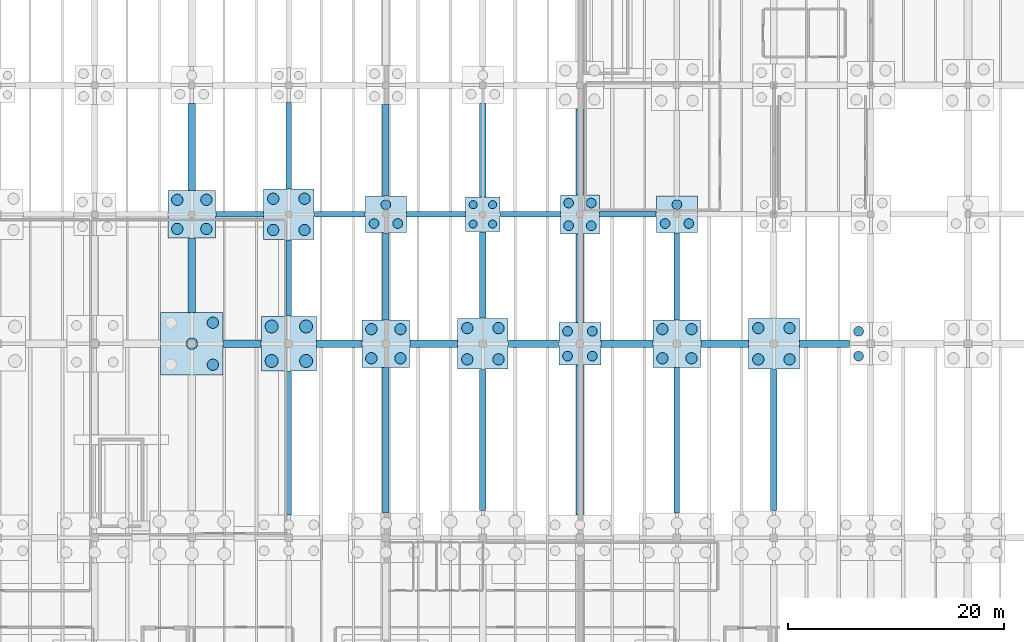
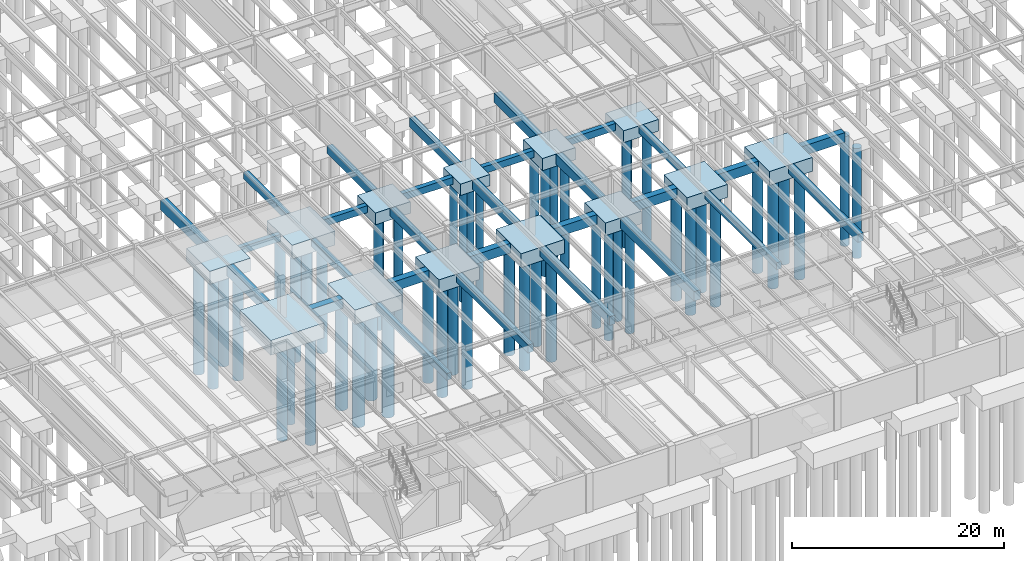
# One storey, part 5 of 40: 51 piles, 42 footings.
"""IFC4 building model written with IfcOpenShell, lengths in metres."""

from ifc_helpers import new_model, si_unit, direction, frame, origin, origin_2d, place, context, subcontext, project, spatial, polyline, rectangle, circle, outline, extrude, material, material_profile, profile_set, type_object, element, save


model = new_model("IFC4")

# Units and contexts
model_context = context("Model", 3, precision=1e-05, world=origin(), true_north=direction((0.0, 1.0)))
body_context = subcontext(model_context, "Body", "Model", "MODEL_VIEW")
ifc_project = project(units=[si_unit("LENGTHUNIT", "METRE"), si_unit("AREAUNIT", "SQUARE_METRE"), si_unit("VOLUMEUNIT", "CUBIC_METRE"), si_unit("PLANEANGLEUNIT", "RADIAN"), si_unit("MASSUNIT", "GRAM", prefix="KILO")], contexts=[model_context])

# Site, building, storey
site_placement = place(None, origin())
site = spatial("IfcSite", under=ifc_project, at=site_placement, CompositionType="ELEMENT")
building_placement = place(site_placement, origin())
building = spatial("IfcBuilding", under=site, at=building_placement, Name="Montelvaro Courts of Justice", CompositionType="ELEMENT")
storey_placement = place(building_placement, frame((0.0, 0.0, -4.5)))
storey = spatial("IfcBuildingStorey", under=building, at=storey_placement, Name="B01", CompositionType="ELEMENT", Elevation=-4.5)

# Piles
ifc_material = material(Name="Concrete C35/45", Category="concrete")
ifc_material_profile_1 = material_profile(ifc_material, circle(Radius=0.52490234375, at=origin_2d()), Name="BORED PILE D1050")
ifc_profile_set_1 = profile_set([ifc_material_profile_1], Name="Concrete C35/45")
pile_type_1 = type_object("IfcPileType", Name="BoredPile_1050", PredefinedType="BORED", material=ifc_profile_set_1)
for number, where, z_axis, x_axis, name in (
    (1, (64.949951171875, 40.050048828125, -1.60009765625), (0.0, 0.0, -1.0), (1.0, 0.0, 0.0), "Bored Pile BP-03 8/D-2"),
    (2, (63.0, 42.0, -1.60009765625), (0.0, 0.0, -1.0), (1.0, 0.0, 0.0), "Bored Pile BP-03 8/D-3"),
    (3, (64.949951171875, 43.949951171875, -1.60009765625), (0.0, 0.0, -1.0), (1.0, 0.0, 0.0), "Bored Pile BP-03 8/D-5"),
):
    element("IfcPile", number, at=place(storey_placement, frame(where, z_axis=z_axis, x_axis=x_axis)), inside=storey, type_object=pile_type_1, Name=name, PredefinedType="BORED", context=body_context, shape_type="SweptSolid", body=[
        extrude(circle(Radius=0.52490234375, at=origin_2d()), origin(), (0.0, 0.0, 1.0), 12.39990234375),
    ])
for number, where, z_axis, x_axis, name in (
    (4, (61.64990234375, 52.64990234375, -1.39990234375), (0.0, 0.0, -1.0), (1.0, 0.0, 0.0), "Bored Pile BP-03 8/E-1"),
    (5, (64.35009765625, 52.64990234375, -1.39990234375), (0.0, 0.0, -1.0), (1.0, 0.0, 0.0), "Bored Pile BP-03 8/E-2"),
    (6, (61.64990234375, 55.35009765625, -1.39990234375), (0.0, 0.0, -1.0), (1.0, 0.0, 0.0), "Bored Pile BP-03 8/E-3"),
    (7, (64.35009765625, 55.35009765625, -1.39990234375), (0.0, 0.0, -1.0), (1.0, 0.0, 0.0), "Bored Pile BP-03 8/E-4"),
):
    element("IfcPile", number, at=place(storey_placement, frame(where, z_axis=z_axis, x_axis=x_axis)), inside=storey, type_object=pile_type_1, Name=name, PredefinedType="BORED", context=body_context, shape_type="SweptSolid", body=[
        extrude(circle(Radius=0.52490234375, at=origin_2d()), origin(), (0.0, 0.0, 1.0), 12.60009765625),
    ])
for number, where, z_axis, x_axis, name in (
    (8, (70.550048828125, 52.550048828125, -1.5), (0.0, 0.0, -1.0), (1.0, 0.0, 0.0), "Bored Pile BP-03 9/E-1"),
    (9, (73.449951171875, 52.550048828125, -1.5), (0.0, 0.0, -1.0), (1.0, 0.0, 0.0), "Bored Pile BP-03 9/E-2"),
    (10, (70.550048828125, 55.449951171875, -1.5), (0.0, 0.0, -1.0), (1.0, 0.0, 0.0), "Bored Pile BP-03 9/E-3"),
    (11, (73.449951171875, 55.449951171875, -1.5), (0.0, 0.0, -1.0), (1.0, 0.0, 0.0), "Bored Pile BP-03 9/E-4"),
):
    element("IfcPile", number, at=place(storey_placement, frame(where, z_axis=z_axis, x_axis=x_axis)), inside=storey, type_object=pile_type_1, Name=name, PredefinedType="BORED", context=body_context, shape_type="SweptSolid", body=[
        extrude(circle(Radius=0.52490234375, at=origin_2d()), origin(), (0.0, 0.0, 1.0), 12.5),
    ])
for number, where, z_axis, x_axis, name in (
    (12, (79.64990234375, 40.64990234375, -1.39990234375), (0.0, 0.0, -1.0), (1.0, 0.0, 0.0), "Bored Pile BP-03 10/D-1"),
    (13, (82.35009765625, 40.64990234375, -1.39990234375), (0.0, 0.0, -1.0), (1.0, 0.0, 0.0), "Bored Pile BP-03 10/D-2"),
    (14, (79.64990234375, 43.35009765625, -1.39990234375), (0.0, 0.0, -1.0), (1.0, 0.0, 0.0), "Bored Pile BP-03 10/D-3"),
    (15, (82.35009765625, 43.35009765625, -1.39990234375), (0.0, 0.0, -1.0), (1.0, 0.0, 0.0), "Bored Pile BP-03 10/D-4"),
):
    element("IfcPile", number, at=place(storey_placement, frame(where, z_axis=z_axis, x_axis=x_axis)), inside=storey, type_object=pile_type_1, Name=name, PredefinedType="BORED", context=body_context, shape_type="SweptSolid", body=[
        extrude(circle(Radius=0.52490234375, at=origin_2d()), origin(), (0.0, 0.0, 1.0), 12.60009765625),
    ])
for number, where, z_axis, x_axis, name in (
    (16, (88.550048828125, 40.550048828125, -1.5), (0.0, 0.0, -1.0), (1.0, 0.0, 0.0), "Bored Pile BP-03 11/D-1"),
    (17, (91.449951171875, 40.550048828125, -1.5), (0.0, 0.0, -1.0), (1.0, 0.0, 0.0), "Bored Pile BP-03 11/D-2"),
    (18, (88.550048828125, 43.449951171875, -1.5), (0.0, 0.0, -1.0), (1.0, 0.0, 0.0), "Bored Pile BP-03 11/D-3"),
    (19, (91.449951171875, 43.449951171875, -1.5), (0.0, 0.0, -1.0), (1.0, 0.0, 0.0), "Bored Pile BP-03 11/D-4"),
):
    element("IfcPile", number, at=place(storey_placement, frame(where, z_axis=z_axis, x_axis=x_axis)), inside=storey, type_object=pile_type_1, Name=name, PredefinedType="BORED", context=body_context, shape_type="SweptSolid", body=[
        extrude(circle(Radius=0.52490234375, at=origin_2d()), origin(), (0.0, 0.0, 1.0), 12.5),
    ])
for number, where, z_axis, x_axis, name in (
    (20, (106.64990234375, 40.64990234375, -1.39990234375), (0.0, 0.0, -1.0), (1.0, 0.0, 0.0), "Bored Pile BP-03 13/D-1"),
    (21, (109.35009765625, 40.64990234375, -1.39990234375), (0.0, 0.0, -1.0), (1.0, 0.0, 0.0), "Bored Pile BP-03 13/D-2"),
    (22, (106.64990234375, 43.35009765625, -1.39990234375), (0.0, 0.0, -1.0), (1.0, 0.0, 0.0), "Bored Pile BP-03 13/D-3"),
    (23, (109.35009765625, 43.35009765625, -1.39990234375), (0.0, 0.0, -1.0), (1.0, 0.0, 0.0), "Bored Pile BP-03 13/D-4"),
):
    element("IfcPile", number, at=place(storey_placement, frame(where, z_axis=z_axis, x_axis=x_axis)), inside=storey, type_object=pile_type_1, Name=name, PredefinedType="BORED", context=body_context, shape_type="SweptSolid", body=[
        extrude(circle(Radius=0.52490234375, at=origin_2d()), origin(), (0.0, 0.0, 1.0), 12.60009765625),
    ])
for number, where, z_axis, x_axis, name in (
    (24, (115.550048828125, 40.550048828125, -1.5), (0.0, 0.0, -1.0), (1.0, 0.0, 0.0), "Bored Pile BP-03 14/D-1"),
    (25, (118.449951171875, 40.550048828125, -1.5), (0.0, 0.0, -1.0), (1.0, 0.0, 0.0), "Bored Pile BP-03 14/D-2"),
    (26, (115.550048828125, 43.449951171875, -1.5), (0.0, 0.0, -1.0), (1.0, 0.0, 0.0), "Bored Pile BP-03 14/D-3"),
    (27, (118.449951171875, 43.449951171875, -1.5), (0.0, 0.0, -1.0), (1.0, 0.0, 0.0), "Bored Pile BP-03 14/D-4"),
):
    element("IfcPile", number, at=place(storey_placement, frame(where, z_axis=z_axis, x_axis=x_axis)), inside=storey, type_object=pile_type_1, Name=name, PredefinedType="BORED", context=body_context, shape_type="SweptSolid", body=[
        extrude(circle(Radius=0.52490234375, at=origin_2d()), origin(), (0.0, 0.0, 1.0), 12.5),
    ])
ifc_material_profile_2 = material_profile(ifc_material, circle(Radius=0.60009765625, at=origin_2d()), Name="BORED PILE D1200")
ifc_profile_set_2 = profile_set([ifc_material_profile_2], Name="Concrete C35/45")
pile_type_2 = type_object("IfcPileType", Name="BoredPile_1200", PredefinedType="BORED", material=ifc_profile_set_2)
for number, where, z_axis, x_axis, name in (
    (28, (70.39990234375, 40.39990234375, -1.550048828125), (0.0, 0.0, -1.0), (1.0, 0.0, 0.0), "Bored Pile BP-04 9/D-1"),
    (29, (73.60009765625, 40.39990234375, -1.550048828125), (0.0, 0.0, -1.0), (1.0, 0.0, 0.0), "Bored Pile BP-04 9/D-2"),
    (30, (70.39990234375, 43.60009765625, -1.550048828125), (0.0, 0.0, -1.0), (1.0, 0.0, 0.0), "Bored Pile BP-04 9/D-3"),
    (31, (73.60009765625, 43.60009765625, -1.550048828125), (0.0, 0.0, -1.0), (1.0, 0.0, 0.0), "Bored Pile BP-04 9/D-4"),
):
    element("IfcPile", number, at=place(storey_placement, frame(where, z_axis=z_axis, x_axis=x_axis)), inside=storey, type_object=pile_type_2, Name=name, PredefinedType="BORED", context=body_context, shape_type="SweptSolid", body=[
        extrude(circle(Radius=0.60009765625, at=origin_2d()), origin(), (0.0, 0.0, 1.0), 12.449951171875),
    ])
ifc_material_profile_3 = material_profile(ifc_material, circle(Radius=0.375, at=origin_2d()), Name="BORED PILE D750")
ifc_profile_set_3 = profile_set([ifc_material_profile_3], Name="Concrete C35/45")
pile_type_3 = type_object("IfcPileType", Name="BoredPile_750", PredefinedType="BORED", material=ifc_profile_set_3)
for number, where, z_axis, x_axis, name in (
    (32, (89.10009765625, 53.10009765625, -1.199951171875), (0.0, 0.0, -1.0), (1.0, 0.0, 0.0), "Bored Pile BP-01 11/E-1"),
    (33, (90.89990234375, 53.10009765625, -1.199951171875), (0.0, 0.0, -1.0), (1.0, 0.0, 0.0), "Bored Pile BP-01 11/E-2"),
    (34, (89.10009765625, 54.89990234375, -1.199951171875), (0.0, 0.0, -1.0), (1.0, 0.0, 0.0), "Bored Pile BP-01 11/E-3"),
    (35, (90.89990234375, 54.89990234375, -1.199951171875), (0.0, 0.0, -1.0), (1.0, 0.0, 0.0), "Bored Pile BP-01 11/E-4"),
):
    element("IfcPile", number, at=place(storey_placement, frame(where, z_axis=z_axis, x_axis=x_axis)), inside=storey, type_object=pile_type_3, Name=name, PredefinedType="BORED", context=body_context, shape_type="SweptSolid", body=[
        extrude(circle(Radius=0.375, at=origin_2d()), origin(), (0.0, 0.0, 1.0), 12.800048828125),
    ])
ifc_material_profile_4 = material_profile(ifc_material, circle(Radius=0.449951171875, at=origin_2d()), Name="BORED PILE D900")
ifc_profile_set_4 = profile_set([ifc_material_profile_4], Name="Concrete C35/45")
pile_type_4 = type_object("IfcPileType", Name="BoredPile_900", PredefinedType="BORED", material=ifc_profile_set_4)
for number, where, z_axis, x_axis, name in (
    (36, (79.89990234375, 53.14990234375, -1.25), (0.0, 0.0, -1.0), (1.0, 0.0, 0.0), "Bored Pile BP-02 10/E-1"),
    (37, (82.10009765625, 53.14990234375, -1.25), (0.0, 0.0, -1.0), (1.0, 0.0, 0.0), "Bored Pile BP-02 10/E-2"),
    (38, (81.0, 54.89990234375, -1.25), (0.0, 0.0, -1.0), (1.0, 0.0, 0.0), "Bored Pile BP-02 10/E-3"),
):
    element("IfcPile", number, at=place(storey_placement, frame(where, z_axis=z_axis, x_axis=x_axis)), inside=storey, type_object=pile_type_4, Name=name, PredefinedType="BORED", context=body_context, shape_type="SweptSolid", body=[
        extrude(circle(Radius=0.449951171875, at=origin_2d()), origin(), (0.0, 0.0, 1.0), 12.75),
    ])
for number, where, z_axis, x_axis, name in (
    (39, (97.85009765625, 40.85009765625, -1.35009765625), (0.0, 0.0, -1.0), (1.0, 0.0, 0.0), "Bored Pile BP-02 12/D-1"),
    (40, (100.14990234375, 40.85009765625, -1.35009765625), (0.0, 0.0, -1.0), (1.0, 0.0, 0.0), "Bored Pile BP-02 12/D-2"),
    (41, (97.85009765625, 43.14990234375, -1.35009765625), (0.0, 0.0, -1.0), (1.0, 0.0, 0.0), "Bored Pile BP-02 12/D-3"),
    (42, (100.14990234375, 43.14990234375, -1.35009765625), (0.0, 0.0, -1.0), (1.0, 0.0, 0.0), "Bored Pile BP-02 12/D-4"),
):
    element("IfcPile", number, at=place(storey_placement, frame(where, z_axis=z_axis, x_axis=x_axis)), inside=storey, type_object=pile_type_4, Name=name, PredefinedType="BORED", context=body_context, shape_type="SweptSolid", body=[
        extrude(circle(Radius=0.449951171875, at=origin_2d()), origin(), (0.0, 0.0, 1.0), 12.64990234375),
    ])
for number, where, z_axis, x_axis, name in (
    (43, (97.949951171875, 52.949951171875, -1.300048828125), (0.0, 0.0, -1.0), (1.0, 0.0, 0.0), "Bored Pile BP-02 12/E-1"),
    (44, (100.050048828125, 52.949951171875, -1.300048828125), (0.0, 0.0, -1.0), (1.0, 0.0, 0.0), "Bored Pile BP-02 12/E-2"),
    (45, (97.949951171875, 55.050048828125, -1.300048828125), (0.0, 0.0, -1.0), (1.0, 0.0, 0.0), "Bored Pile BP-02 12/E-3"),
    (46, (100.050048828125, 55.050048828125, -1.300048828125), (0.0, 0.0, -1.0), (1.0, 0.0, 0.0), "Bored Pile BP-02 12/E-4"),
):
    element("IfcPile", number, at=place(storey_placement, frame(where, z_axis=z_axis, x_axis=x_axis)), inside=storey, type_object=pile_type_4, Name=name, PredefinedType="BORED", context=body_context, shape_type="SweptSolid", body=[
        extrude(circle(Radius=0.449951171875, at=origin_2d()), origin(), (0.0, 0.0, 1.0), 12.699951171875),
    ])
for number, where, z_axis, x_axis, name in (
    (47, (106.89990234375, 53.14990234375, -1.25), (0.0, 0.0, -1.0), (1.0, 0.0, 0.0), "Bored Pile BP-02 13/E-1"),
    (48, (109.10009765625, 53.14990234375, -1.25), (0.0, 0.0, -1.0), (1.0, 0.0, 0.0), "Bored Pile BP-02 13/E-2"),
    (49, (108.0, 54.89990234375, -1.25), (0.0, 0.0, -1.0), (1.0, 0.0, 0.0), "Bored Pile BP-02 13/E-3"),
):
    element("IfcPile", number, at=place(storey_placement, frame(where, z_axis=z_axis, x_axis=x_axis)), inside=storey, type_object=pile_type_4, Name=name, PredefinedType="BORED", context=body_context, shape_type="SweptSolid", body=[
        extrude(circle(Radius=0.449951171875, at=origin_2d()), origin(), (0.0, 0.0, 1.0), 12.75),
    ])
for number, where, z_axis, x_axis, name in (
    (50, (124.85009765625, 40.85009765625, -1.35009765625), (0.0, 0.0, -1.0), (1.0, 0.0, 0.0), "Bored Pile BP-02 15/D-1"),
    (51, (124.85009765625, 43.14990234375, -1.35009765625), (0.0, 0.0, -1.0), (1.0, 0.0, 0.0), "Bored Pile BP-02 15/D-3"),
):
    element("IfcPile", number, at=place(storey_placement, frame(where, z_axis=z_axis, x_axis=x_axis)), inside=storey, type_object=pile_type_4, Name=name, PredefinedType="BORED", context=body_context, shape_type="SweptSolid", body=[
        extrude(circle(Radius=0.449951171875, at=origin_2d()), origin(), (0.0, 0.0, 1.0), 12.64990234375),
    ])

# Footings
footing_type_1 = type_object("IfcFootingType", Name="GroundBeam_500x800", PredefinedType="FOOTING_BEAM", material=ifc_material)
footing_1_placement = place(storey_placement, frame((0.0, 0.0, -0.800048828125)))
element("IfcFooting", 52, at=footing_1_placement, inside=storey, type_object=footing_type_1, Name="Foundation Ground Beam GB-01", PredefinedType="FOOTING_BEAM", context=body_context, shape_type="SweptSolid", body=[
    extrude(outline(polyline([(65.219970703125, 53.75), (69.6298828125, 53.75), (69.6298828125, 54.25), (65.219970703125, 54.25), (65.219970703125, 53.75)])), origin(), (0.0, 0.0, 1.0), 0.800048828125),
])
footing_2_placement = place(storey_placement, frame((0.0, 0.0, -0.800048828125)))
element("IfcFooting", 53, at=footing_2_placement, inside=storey, type_object=footing_type_1, Name="Foundation Ground Beam GB-01", PredefinedType="FOOTING_BEAM", context=body_context, shape_type="SweptSolid", body=[
    extrude(outline(polyline([(74.3701171875, 53.75), (79.080078125, 53.75), (79.080078125, 54.25), (74.3701171875, 54.25), (74.3701171875, 53.75)])), origin(), (0.0, 0.0, 1.0), 0.800048828125),
])
footing_3_placement = place(storey_placement, frame((0.0, 0.0, -0.800048828125)))
element("IfcFooting", 54, at=footing_3_placement, inside=storey, type_object=footing_type_1, Name="Foundation Ground Beam GB-01", PredefinedType="FOOTING_BEAM", context=body_context, shape_type="SweptSolid", body=[
    extrude(outline(polyline([(82.919921875, 53.75), (88.3798828125, 53.75), (88.3798828125, 54.25), (82.919921875, 54.25), (82.919921875, 53.75)])), origin(), (0.0, 0.0, 1.0), 0.800048828125),
])
footing_4_placement = place(storey_placement, frame((0.0, 0.0, -0.800048828125)))
element("IfcFooting", 55, at=footing_4_placement, inside=storey, type_object=footing_type_1, Name="Foundation Ground Beam GB-01", PredefinedType="FOOTING_BEAM", context=body_context, shape_type="SweptSolid", body=[
    extrude(outline(polyline([(91.6201171875, 53.75), (97.179931640625, 53.75), (97.179931640625, 54.25), (91.6201171875, 54.25), (91.6201171875, 53.75)])), origin(), (0.0, 0.0, 1.0), 0.800048828125),
])
footing_5_placement = place(storey_placement, frame((0.0, 0.0, -0.800048828125)))
element("IfcFooting", 56, at=footing_5_placement, inside=storey, type_object=footing_type_1, Name="Foundation Ground Beam GB-01", PredefinedType="FOOTING_BEAM", context=body_context, shape_type="SweptSolid", body=[
    extrude(outline(polyline([(100.820068359375, 53.75), (106.080078125, 53.75), (106.080078125, 54.25), (100.820068359375, 54.25), (100.820068359375, 53.75)])), origin(), (0.0, 0.0, 1.0), 0.800048828125),
])
footing_6_placement = place(storey_placement, frame((0.0, 0.0, -0.800048828125)))
element("IfcFooting", 57, at=footing_6_placement, inside=storey, type_object=footing_type_1, Name="Foundation Ground Beam GB-01", PredefinedType="FOOTING_BEAM", context=body_context, shape_type="SweptSolid", body=[
    extrude(outline(polyline([(71.75, 26.1201171875), (72.25, 26.1201171875), (72.25, 39.429931640625), (71.75, 39.429931640625), (71.75, 26.1201171875)])), origin(), (0.0, 0.0, 1.0), 0.800048828125),
])
footing_7_placement = place(storey_placement, frame((0.0, 0.0, -0.800048828125)))
element("IfcFooting", 58, at=footing_7_placement, inside=storey, type_object=footing_type_1, Name="Foundation Ground Beam GB-01", PredefinedType="FOOTING_BEAM", context=body_context, shape_type="SweptSolid", body=[
    extrude(outline(polyline([(71.75, 44.570068359375), (72.25, 44.570068359375), (72.25, 51.6298828125), (71.75, 51.6298828125), (71.75, 44.570068359375)])), origin(), (0.0, 0.0, 1.0), 0.800048828125),
])
footing_8_placement = place(storey_placement, frame((0.0, 0.0, -0.800048828125)))
element("IfcFooting", 59, at=footing_8_placement, inside=storey, type_object=footing_type_1, Name="Foundation Ground Beam GB-01", PredefinedType="FOOTING_BEAM", context=body_context, shape_type="SweptSolid", body=[
    extrude(outline(polyline([(71.75, 56.3701171875), (72.25, 56.3701171875), (72.25, 64.3798828125), (71.75, 64.3798828125), (71.75, 56.3701171875)])), origin(), (0.0, 0.0, 1.0), 0.800048828125),
])
footing_9_placement = place(storey_placement, frame((0.0, 0.0, -0.800048828125)))
element("IfcFooting", 60, at=footing_9_placement, inside=storey, type_object=footing_type_1, Name="Foundation Ground Beam GB-01", PredefinedType="FOOTING_BEAM", context=body_context, shape_type="SweptSolid", body=[
    extrude(outline(polyline([(107.75, 26.320068359375), (108.25, 26.320068359375), (108.25, 39.780029296875), (107.75, 39.780029296875), (107.75, 26.320068359375)])), origin(), (0.0, 0.0, 1.0), 0.800048828125),
])
footing_10_placement = place(storey_placement, frame((0.0, 0.0, -0.800048828125)))
element("IfcFooting", 61, at=footing_10_placement, inside=storey, type_object=footing_type_1, Name="Foundation Ground Beam GB-01", PredefinedType="FOOTING_BEAM", context=body_context, shape_type="SweptSolid", body=[
    extrude(outline(polyline([(107.75, 44.219970703125), (108.25, 44.219970703125), (108.25, 52.280029296875), (107.75, 52.280029296875), (107.75, 44.219970703125)])), origin(), (0.0, 0.0, 1.0), 0.800048828125),
])
footing_type_2 = type_object("IfcFootingType", Name="GroundBeam_600x1000", PredefinedType="FOOTING_BEAM", material=ifc_material)
footing_11_placement = place(storey_placement, frame((0.0, 0.0, -1.0)))
element("IfcFooting", 62, at=footing_11_placement, inside=storey, type_object=footing_type_2, Name="Foundation Ground Beam GB-03", PredefinedType="FOOTING_BEAM", context=body_context, shape_type="SweptSolid", body=[
    extrude(outline(polyline([(89.699951171875, 26.52001953125), (90.300048828125, 26.52001953125), (90.300048828125, 39.6298828125), (89.699951171875, 39.6298828125), (89.699951171875, 26.52001953125)])), origin(), (0.0, 0.0, 1.0), 1.0),
])
footing_12_placement = place(storey_placement, frame((0.0, 0.0, -1.0)))
element("IfcFooting", 63, at=footing_12_placement, inside=storey, type_object=footing_type_2, Name="Foundation Ground Beam GB-03", PredefinedType="FOOTING_BEAM", context=body_context, shape_type="SweptSolid", body=[
    extrude(outline(polyline([(89.699951171875, 44.3701171875), (90.300048828125, 44.3701171875), (90.300048828125, 52.3798828125), (89.699951171875, 52.3798828125), (89.699951171875, 44.3701171875)])), origin(), (0.0, 0.0, 1.0), 1.0),
])
footing_13_placement = place(storey_placement, frame((0.0, 0.0, -1.0)))
element("IfcFooting", 64, at=footing_13_placement, inside=storey, type_object=footing_type_2, Name="Foundation Ground Beam GB-03", PredefinedType="FOOTING_BEAM", context=body_context, shape_type="SweptSolid", body=[
    extrude(outline(polyline([(89.699951171875, 55.6201171875), (90.300048828125, 55.6201171875), (90.300048828125, 64.280029296875), (89.699951171875, 64.280029296875), (89.699951171875, 55.6201171875)])), origin(), (0.0, 0.0, 1.0), 1.0),
])
footing_type_3 = type_object("IfcFootingType", Name="GroundBeam_600x900", PredefinedType="FOOTING_BEAM", material=ifc_material)
footing_14_placement = place(storey_placement, frame((0.0, 0.0, -0.89990234375)))
element("IfcFooting", 65, at=footing_14_placement, inside=storey, type_object=footing_type_3, Name="Foundation Ground Beam GB-02", PredefinedType="FOOTING_BEAM", context=body_context, shape_type="SweptSolid", body=[
    extrude(outline(polyline([(80.699951171875, 26.320068359375), (81.300048828125, 26.320068359375), (81.300048828125, 39.780029296875), (80.699951171875, 39.780029296875), (80.699951171875, 26.320068359375)])), origin(), (0.0, 0.0, 1.0), 0.89990234375),
])
footing_15_placement = place(storey_placement, frame((0.0, 0.0, -0.89990234375)))
element("IfcFooting", 66, at=footing_15_placement, inside=storey, type_object=footing_type_3, Name="Foundation Ground Beam GB-02", PredefinedType="FOOTING_BEAM", context=body_context, shape_type="SweptSolid", body=[
    extrude(outline(polyline([(80.699951171875, 44.219970703125), (81.300048828125, 44.219970703125), (81.300048828125, 52.280029296875), (80.699951171875, 52.280029296875), (80.699951171875, 44.219970703125)])), origin(), (0.0, 0.0, 1.0), 0.89990234375),
])
footing_16_placement = place(storey_placement, frame((0.0, 0.0, -0.89990234375)))
element("IfcFooting", 67, at=footing_16_placement, inside=storey, type_object=footing_type_3, Name="Foundation Ground Beam GB-02", PredefinedType="FOOTING_BEAM", context=body_context, shape_type="SweptSolid", body=[
    extrude(outline(polyline([(80.699951171875, 55.719970703125), (81.300048828125, 55.719970703125), (81.300048828125, 64.179931640625), (80.699951171875, 64.179931640625), (80.699951171875, 55.719970703125)])), origin(), (0.0, 0.0, 1.0), 0.89990234375),
])
footing_17_placement = place(storey_placement, frame((0.0, 0.0, -0.89990234375)))
element("IfcFooting", 68, at=footing_17_placement, inside=storey, type_object=footing_type_3, Name="Foundation Ground Beam GB-02", PredefinedType="FOOTING_BEAM", context=body_context, shape_type="SweptSolid", body=[
    extrude(outline(polyline([(116.699951171875, 26.52001953125), (117.300048828125, 26.52001953125), (117.300048828125, 39.6298828125), (116.699951171875, 39.6298828125), (116.699951171875, 26.52001953125)])), origin(), (0.0, 0.0, 1.0), 0.89990234375),
])
footing_type_4 = type_object("IfcFootingType", Name="GroundBeam_700x1100", PredefinedType="FOOTING_BEAM", material=ifc_material)
footing_18_placement = place(storey_placement, frame((0.0, 0.0, -1.10009765625)))
element("IfcFooting", 69, at=footing_18_placement, inside=storey, type_object=footing_type_4, Name="Foundation Ground Beam GB-04", PredefinedType="FOOTING_BEAM", context=body_context, shape_type="SweptSolid", body=[
    extrude(outline(polyline([(65.919921875, 41.64990234375), (69.429931640625, 41.64990234375), (69.429931640625, 42.35009765625), (65.919921875, 42.35009765625), (65.919921875, 41.64990234375)])), origin(), (0.0, 0.0, 1.0), 1.10009765625),
])
footing_19_placement = place(storey_placement, frame((0.0, 0.0, -1.10009765625)))
element("IfcFooting", 70, at=footing_19_placement, inside=storey, type_object=footing_type_4, Name="Foundation Ground Beam GB-04", PredefinedType="FOOTING_BEAM", context=body_context, shape_type="SweptSolid", body=[
    extrude(outline(polyline([(74.570068359375, 41.64990234375), (78.780029296875, 41.64990234375), (78.780029296875, 42.35009765625), (74.570068359375, 42.35009765625), (74.570068359375, 41.64990234375)])), origin(), (0.0, 0.0, 1.0), 1.10009765625),
])
footing_20_placement = place(storey_placement, frame((0.0, 0.0, -1.10009765625)))
element("IfcFooting", 71, at=footing_20_placement, inside=storey, type_object=footing_type_4, Name="Foundation Ground Beam GB-04", PredefinedType="FOOTING_BEAM", context=body_context, shape_type="SweptSolid", body=[
    extrude(outline(polyline([(83.219970703125, 41.64990234375), (87.6298828125, 41.64990234375), (87.6298828125, 42.35009765625), (83.219970703125, 42.35009765625), (83.219970703125, 41.64990234375)])), origin(), (0.0, 0.0, 1.0), 1.10009765625),
])
footing_21_placement = place(storey_placement, frame((0.0, 0.0, -1.10009765625)))
element("IfcFooting", 72, at=footing_21_placement, inside=storey, type_object=footing_type_4, Name="Foundation Ground Beam GB-04", PredefinedType="FOOTING_BEAM", context=body_context, shape_type="SweptSolid", body=[
    extrude(outline(polyline([(92.3701171875, 41.64990234375), (97.030029296875, 41.64990234375), (97.030029296875, 42.35009765625), (92.3701171875, 42.35009765625), (92.3701171875, 41.64990234375)])), origin(), (0.0, 0.0, 1.0), 1.10009765625),
])
footing_22_placement = place(storey_placement, frame((0.0, 0.0, -1.10009765625)))
element("IfcFooting", 73, at=footing_22_placement, inside=storey, type_object=footing_type_4, Name="Foundation Ground Beam GB-04", PredefinedType="FOOTING_BEAM", context=body_context, shape_type="SweptSolid", body=[
    extrude(outline(polyline([(100.969970703125, 41.64990234375), (105.780029296875, 41.64990234375), (105.780029296875, 42.35009765625), (100.969970703125, 42.35009765625), (100.969970703125, 41.64990234375)])), origin(), (0.0, 0.0, 1.0), 1.10009765625),
])
footing_23_placement = place(storey_placement, frame((0.0, 0.0, -1.10009765625)))
element("IfcFooting", 74, at=footing_23_placement, inside=storey, type_object=footing_type_4, Name="Foundation Ground Beam GB-04", PredefinedType="FOOTING_BEAM", context=body_context, shape_type="SweptSolid", body=[
    extrude(outline(polyline([(110.219970703125, 41.64990234375), (114.6298828125, 41.64990234375), (114.6298828125, 42.35009765625), (110.219970703125, 42.35009765625), (110.219970703125, 41.64990234375)])), origin(), (0.0, 0.0, 1.0), 1.10009765625),
])
footing_24_placement = place(storey_placement, frame((0.0, 0.0, -1.10009765625)))
element("IfcFooting", 75, at=footing_24_placement, inside=storey, type_object=footing_type_4, Name="Foundation Ground Beam GB-04", PredefinedType="FOOTING_BEAM", context=body_context, shape_type="SweptSolid", body=[
    extrude(outline(polyline([(119.3701171875, 41.64990234375), (124.030029296875, 41.64990234375), (124.030029296875, 42.35009765625), (119.3701171875, 42.35009765625), (119.3701171875, 41.64990234375)])), origin(), (0.0, 0.0, 1.0), 1.10009765625),
])
footing_25_placement = place(storey_placement, frame((0.0, 0.0, -1.10009765625)))
element("IfcFooting", 76, at=footing_25_placement, inside=storey, type_object=footing_type_4, Name="Foundation Ground Beam GB-04", PredefinedType="FOOTING_BEAM", context=body_context, shape_type="SweptSolid", body=[
    extrude(outline(polyline([(62.64990234375, 44.919921875), (63.35009765625, 44.919921875), (63.35009765625, 51.780029296875), (62.64990234375, 51.780029296875), (62.64990234375, 44.919921875)])), origin(), (0.0, 0.0, 1.0), 1.10009765625),
])
footing_26_placement = place(storey_placement, frame((0.0, 0.0, -1.10009765625)))
element("IfcFooting", 77, at=footing_26_placement, inside=storey, type_object=footing_type_4, Name="Foundation Ground Beam GB-04", PredefinedType="FOOTING_BEAM", context=body_context, shape_type="SweptSolid", body=[
    extrude(outline(polyline([(62.64990234375, 56.219970703125), (63.35009765625, 56.219970703125), (63.35009765625, 64.280029296875), (62.64990234375, 64.280029296875), (62.64990234375, 56.219970703125)])), origin(), (0.0, 0.0, 1.0), 1.10009765625),
])
footing_27_placement = place(storey_placement, frame((0.0, 0.0, -1.10009765625)))
element("IfcFooting", 78, at=footing_27_placement, inside=storey, type_object=footing_type_4, Name="Foundation Ground Beam GB-04", PredefinedType="FOOTING_BEAM", context=body_context, shape_type="SweptSolid", body=[
    extrude(outline(polyline([(98.64990234375, 26.1201171875), (99.35009765625, 26.1201171875), (99.35009765625, 40.030029296875), (98.64990234375, 40.030029296875), (98.64990234375, 26.1201171875)])), origin(), (0.0, 0.0, 1.0), 1.10009765625),
])
footing_28_placement = place(storey_placement, frame((0.0, 0.0, -1.10009765625)))
element("IfcFooting", 79, at=footing_28_placement, inside=storey, type_object=footing_type_4, Name="Foundation Ground Beam GB-04", PredefinedType="FOOTING_BEAM", context=body_context, shape_type="SweptSolid", body=[
    extrude(outline(polyline([(98.64990234375, 43.969970703125), (99.35009765625, 43.969970703125), (99.35009765625, 52.179931640625), (98.64990234375, 52.179931640625), (98.64990234375, 43.969970703125)])), origin(), (0.0, 0.0, 1.0), 1.10009765625),
])
footing_29_placement = place(storey_placement, frame((0.0, 0.0, -1.10009765625)))
element("IfcFooting", 80, at=footing_29_placement, inside=storey, type_object=footing_type_4, Name="Foundation Ground Beam GB-04", PredefinedType="FOOTING_BEAM", context=body_context, shape_type="SweptSolid", body=[
    extrude(outline(polyline([(98.64990234375, 55.820068359375), (99.35009765625, 55.820068359375), (99.35009765625, 63.780029296875), (98.64990234375, 63.780029296875), (98.64990234375, 55.820068359375)])), origin(), (0.0, 0.0, 1.0), 1.10009765625),
])
footing_type_5 = type_object("IfcFootingType", Name="PileCap_3P_380x340x135", PredefinedType="PILE_CAP", material=ifc_material)
for number, where, z_axis, x_axis, name in (
    (81, (81.0, 54.0, -1.35009765625), (0.0, 0.0, 1.0), (1.0, 0.0, 0.0), "Pile Cap PC-07 at 10/E"),
    (82, (108.0, 54.0, -1.35009765625), (0.0, 0.0, 1.0), (1.0, 0.0, 0.0), "Pile Cap PC-07 at 13/E"),
):
    element("IfcFooting", number, at=place(storey_placement, frame(where, z_axis=z_axis, x_axis=x_axis)), inside=storey, type_object=footing_type_5, Name=name, PredefinedType="PILE_CAP", context=body_context, shape_type="SweptSolid", body=[
        extrude(rectangle(XDim=3.800048828125, YDim=3.39990234375, at=origin_2d()), origin(), (0.0, 0.0, 1.0), 1.35009765625),
    ])
footing_type_6 = type_object("IfcFootingType", Name="PileCap_4P_320x320x130", PredefinedType="PILE_CAP", material=ifc_material)
footing_30_placement = place(storey_placement, frame((90.0, 54.0, -1.2998046875), z_axis=(0.0, 0.0, 1.0), x_axis=(1.0, 0.0, 0.0)))
element("IfcFooting", 83, at=footing_30_placement, inside=storey, type_object=footing_type_6, Name="Pile Cap PC-08 at 11/E", PredefinedType="PILE_CAP", context=body_context, shape_type="SweptSolid", body=[
    extrude(rectangle(XDim=3.199951171875, YDim=3.199951171875, at=origin_2d()), origin(), (0.0, 0.0, 1.0), 1.300048828125),
])
footing_type_7 = type_object("IfcFootingType", Name="PileCap_4P_360x360x140", PredefinedType="PILE_CAP", material=ifc_material)
footing_31_placement = place(storey_placement, frame((99.0, 54.0, -1.39990234375), z_axis=(0.0, 0.0, 1.0), x_axis=(1.0, 0.0, 0.0)))
element("IfcFooting", 84, at=footing_31_placement, inside=storey, type_object=footing_type_7, Name="Pile Cap PC-09 at 12/E", PredefinedType="PILE_CAP", context=body_context, shape_type="SweptSolid", body=[
    extrude(rectangle(XDim=3.60009765625, YDim=3.60009765625, at=origin_2d()), origin(), (0.0, 0.0, 1.0), 1.39990234375),
])
footing_type_8 = type_object("IfcFootingType", Name="PileCap_4P_390x390x145", PredefinedType="PILE_CAP", material=ifc_material)
footing_32_placement = place(storey_placement, frame((99.0, 42.0, -1.4501953125), z_axis=(0.0, 0.0, 1.0), x_axis=(1.0, 0.0, 0.0)))
element("IfcFooting", 85, at=footing_32_placement, inside=storey, type_object=footing_type_8, Name="Pile Cap PC-10 at 12/D", PredefinedType="PILE_CAP", context=body_context, shape_type="SweptSolid", body=[
    extrude(rectangle(XDim=3.89990234375, YDim=3.89990234375, at=origin_2d()), origin(), (0.0, 0.0, 1.0), 1.449951171875),
])
footing_type_9 = type_object("IfcFootingType", Name="PileCap_4P_440x440x150", PredefinedType="PILE_CAP", material=ifc_material)
for number, where, z_axis, x_axis, name in (
    (86, (63.0, 54.0, -1.5), (0.0, 0.0, 1.0), (1.0, 0.0, 0.0), "Pile Cap PC-11 at 8/E"),
    (87, (81.0, 42.0, -1.5), (0.0, 0.0, 1.0), (1.0, 0.0, 0.0), "Pile Cap PC-11 at 10/D"),
    (88, (108.0, 42.0, -1.5), (0.0, 0.0, 1.0), (1.0, 0.0, 0.0), "Pile Cap PC-11 at 13/D"),
):
    element("IfcFooting", number, at=place(storey_placement, frame(where, z_axis=z_axis, x_axis=x_axis)), inside=storey, type_object=footing_type_9, Name=name, PredefinedType="PILE_CAP", context=body_context, shape_type="SweptSolid", body=[
        extrude(rectangle(XDim=4.39990234375, YDim=4.39990234375, at=origin_2d()), origin(), (0.0, 0.0, 1.0), 1.5),
    ])
footing_type_10 = type_object("IfcFootingType", Name="PileCap_4P_470x470x160", PredefinedType="PILE_CAP", material=ifc_material)
for number, where, z_axis, x_axis, name in (
    (89, (72.0, 54.0, -1.60009765625), (0.0, 0.0, 1.0), (1.0, 0.0, 0.0), "Pile Cap PC-12 at 9/E"),
    (90, (90.0, 42.0, -1.60009765625), (0.0, 0.0, 1.0), (1.0, 0.0, 0.0), "Pile Cap PC-12 at 11/D"),
    (91, (117.0, 42.0, -1.60009765625), (0.0, 0.0, 1.0), (1.0, 0.0, 0.0), "Pile Cap PC-12 at 14/D"),
):
    element("IfcFooting", number, at=place(storey_placement, frame(where, z_axis=z_axis, x_axis=x_axis)), inside=storey, type_object=footing_type_10, Name=name, PredefinedType="PILE_CAP", context=body_context, shape_type="SweptSolid", body=[
        extrude(rectangle(XDim=4.699951171875, YDim=4.699951171875, at=origin_2d()), origin(), (0.0, 0.0, 1.0), 1.60009765625),
    ])
footing_type_11 = type_object("IfcFootingType", Name="PileCap_4P_510x510x165", PredefinedType="PILE_CAP", material=ifc_material)
footing_33_placement = place(storey_placement, frame((72.0, 42.0, -1.64990234375), z_axis=(0.0, 0.0, 1.0), x_axis=(1.0, 0.0, 0.0)))
element("IfcFooting", 92, at=footing_33_placement, inside=storey, type_object=footing_type_11, Name="Pile Cap PC-13 at 9/D", PredefinedType="PILE_CAP", context=body_context, shape_type="SweptSolid", body=[
    extrude(rectangle(XDim=5.10009765625, YDim=5.10009765625, at=origin_2d()), origin(), (0.0, 0.0, 1.0), 1.64990234375),
])
footing_type_12 = type_object("IfcFootingType", Name="PileCap_5P_580x580x170", PredefinedType="PILE_CAP", material=ifc_material)
footing_34_placement = place(storey_placement, frame((63.0, 42.0, -1.7001953125), z_axis=(0.0, 0.0, 1.0), x_axis=(1.0, 0.0, 0.0)))
element("IfcFooting", 93, at=footing_34_placement, inside=storey, type_object=footing_type_12, Name="Pile Cap PC-15 at 8/D", PredefinedType="PILE_CAP", context=body_context, shape_type="SweptSolid", body=[
    extrude(rectangle(XDim=5.800048828125, YDim=5.800048828125, at=origin_2d()), origin(), (0.0, 0.0, 1.0), 1.699951171875),
])

save(model, "model.ifc")
